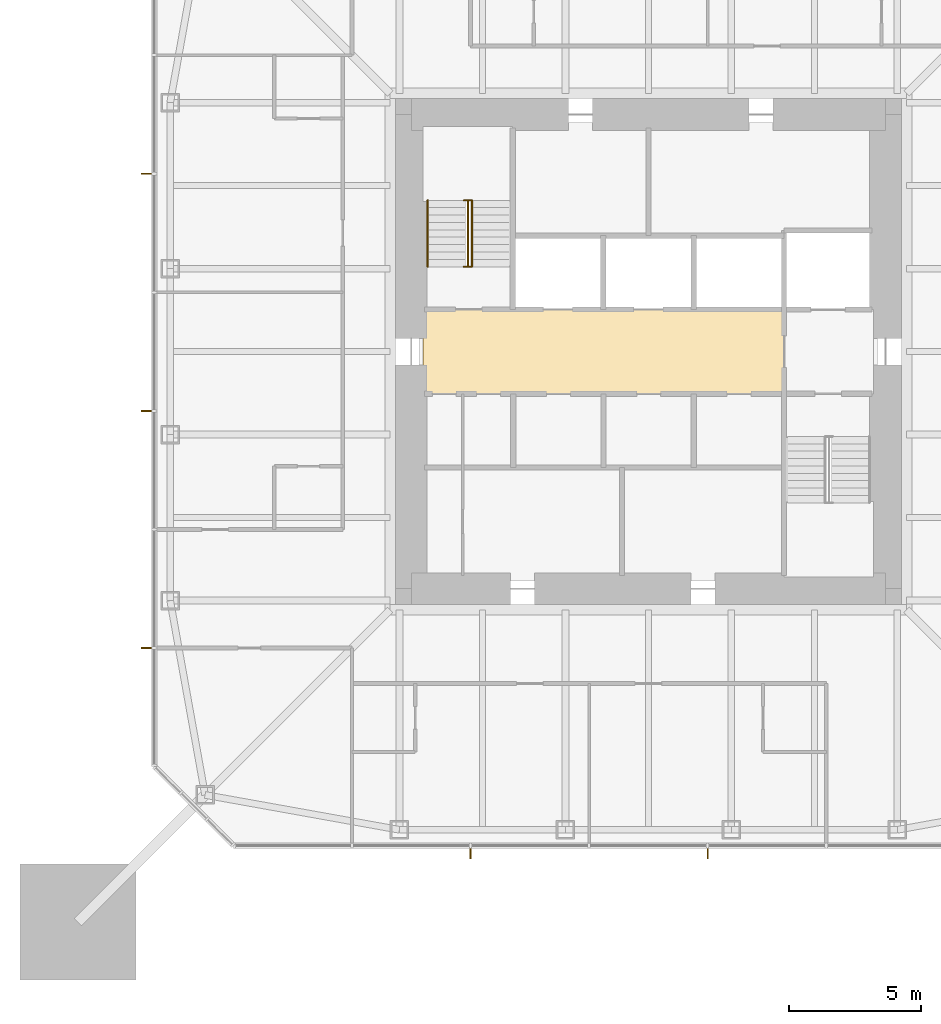
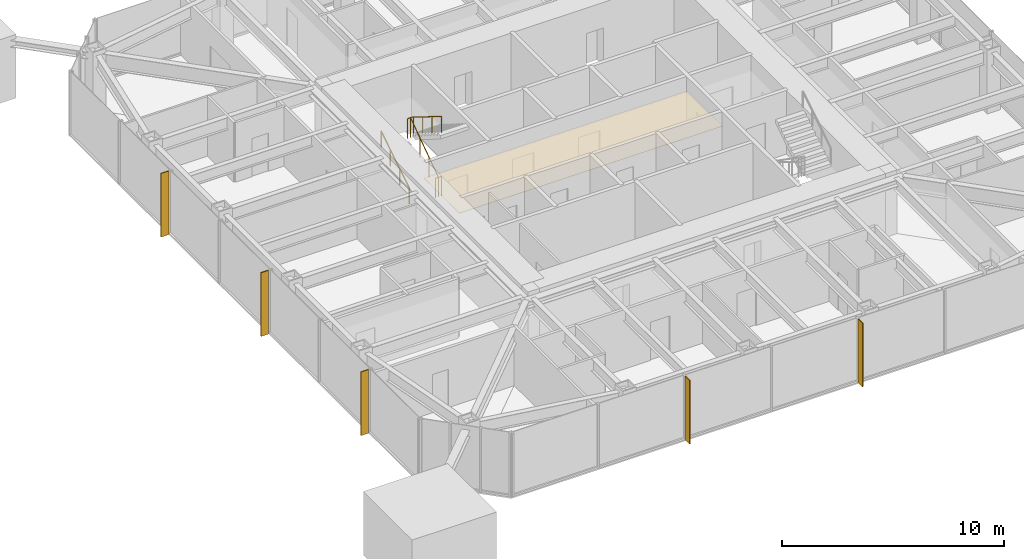
# One storey, part 9 of 11: 5 shading devices, 3 railings, 1 covering.
"""IFC4 building model written with IfcOpenShell, lengths in metres."""

import ifcopenshell
import ifcopenshell.guid

model = None  # the IFC model being written
_history = None  # IfcOwnerHistory: only IFC2X3 demands one
_inside = {}  # id of a spatial element -> (the spatial element, [elements in it])
_under = {}  # id of a project, library or spatial element -> (it, [spatial elements below it])
_declared = {}  # id of a project -> (the project, [libraries it declares])
_typed = {}  # id of a type object -> (the type object, [elements of that type])
_made_of = {}  # id of a material, layer set ... -> (it, [elements and type objects made of it])


def new_model(schema):
    """Start an empty IFC model of exactly this schema.

    Asked for "IFC4X3", IfcOpenShell would pick the latest addendum, in which some entities
    have other attributes; the version numbers below select the first issue.
    IFC2X3 requires an IfcOwnerHistory on every rooted entity: one is made here for all.
    """
    global model, _history
    if schema == "IFC4X3":
        model = ifcopenshell.file(schema_version=(4, 3, 0, 0))
    else:
        model = ifcopenshell.file(schema=schema)
    _inside.clear()
    _under.clear()
    _declared.clear()
    _typed.clear()
    _made_of.clear()
    _history = None
    if model.schema == "IFC2X3":
        org = make("IfcOrganization", Name="unknown")
        user = make(
            "IfcPersonAndOrganization",
            ThePerson=make("IfcPerson", FamilyName="unknown"),
            TheOrganization=org,
        )
        app = make(
            "IfcApplication",
            ApplicationDeveloper=org,
            Version="unknown",
            ApplicationFullName="unknown",
            ApplicationIdentifier="unknown",
        )
        _history = make(
            "IfcOwnerHistory",
            OwningUser=user,
            OwningApplication=app,
            ChangeAction="ADDED",
            CreationDate=0,
        )
    return model


def make(cls, **values):
    """One entity of the class cls with the attributes given. An attribute that is None is left unset."""
    return model.create_entity(
        cls, **{name: value for name, value in values.items() if value is not None}
    )


def rooted(cls, **values):
    """An entity with a GlobalId (a new one), such as an element, a storey or a relation."""
    return make(cls, GlobalId=ifcopenshell.guid.new(), OwnerHistory=_history, **values)


def si_unit(unit_type, name, prefix=None):
    """IfcSIUnit, for example si_unit("LENGTHUNIT", "METRE", prefix="MILLI")."""
    return make("IfcSIUnit", UnitType=unit_type, Prefix=prefix, Name=name)


def assignment(units):
    """IfcUnitAssignment: the units of a project."""
    return None if units is None else make("IfcUnitAssignment", Units=units)


def point(xyz):
    """IfcCartesianPoint."""
    return None if xyz is None else make("IfcCartesianPoint", Coordinates=xyz)


def direction(xyz):
    """IfcDirection."""
    return None if xyz is None else make("IfcDirection", DirectionRatios=xyz)


def frame(location, z_axis=None, x_axis=None):
    """IfcAxis2Placement3D, a coordinate frame: its origin and axes. An axis left out is left unset."""
    return make(
        "IfcAxis2Placement3D",
        Location=point(location),
        Axis=direction(z_axis),
        RefDirection=direction(x_axis),
    )


def frame_2d(location, x_axis=None):
    """IfcAxis2Placement2D, a coordinate frame in the plane: its origin and x axis."""
    return make(
        "IfcAxis2Placement2D", Location=point(location), RefDirection=direction(x_axis)
    )


def origin():
    """The frame at (0, 0, 0) with its axes left unset."""
    return frame((0.0, 0.0, 0.0))


def origin_2d():
    """The frame at (0, 0) in the plane with its x axis left unset."""
    return frame_2d((0.0, 0.0))


def place(relative_to, where):
    """IfcLocalPlacement: puts the frame where relative to a parent placement (None: the world)."""
    return make(
        "IfcLocalPlacement", PlacementRelTo=relative_to, RelativePlacement=where
    )


def context(
    kind, dimensions, precision=None, world=None, true_north=None, identifier=None
):
    """IfcGeometricRepresentationContext, for example the 3D "Model" context."""
    return make(
        "IfcGeometricRepresentationContext",
        ContextIdentifier=identifier,
        ContextType=kind,
        CoordinateSpaceDimension=dimensions,
        Precision=precision,
        WorldCoordinateSystem=world,
        TrueNorth=true_north,
    )


def subcontext(parent, identifier, kind, view, scale=None):
    """IfcGeometricRepresentationSubContext, for example "Body" below "Model"."""
    return make(
        "IfcGeometricRepresentationSubContext",
        ContextIdentifier=identifier,
        ContextType=kind,
        ParentContext=parent,
        TargetScale=scale,
        TargetView=view,
    )


def project(units=None, contexts=None):
    """IfcProject with its units and contexts."""
    return rooted(
        "IfcProject",
        Name="project",
        RepresentationContexts=contexts,
        UnitsInContext=assignment(units),
    )


def spatial(cls, under=None, at=None, **own):
    """A site, building, storey or space (cls), placed at a placement, below another one or the project."""
    s = rooted(cls, ObjectPlacement=at, **own)
    if under is not None:
        _under.setdefault(under.id(), (under, []))[1].append(s)
    return s


def polyline(points):
    """IfcPolyline through the points."""
    return make("IfcPolyline", Points=[point(p) for p in points])


def profile(cls, at=None, kind="AREA", **sizes):
    """A parametric profile (cls). Its sizes go by their IFC names, for example OverallWidth=200.0."""
    return make(cls, ProfileType=kind, Position=at, **sizes)


def rectangle(**sizes):
    """IfcRectangleProfileDef."""
    return profile("IfcRectangleProfileDef", **sizes)


def circle(**sizes):
    """IfcCircleProfileDef."""
    return profile("IfcCircleProfileDef", **sizes)


def outline(outer, holes=None, kind="AREA"):
    """IfcArbitraryClosedProfileDef: a profile drawn as a closed curve; with holes, ...WithVoids."""
    if holes is None:
        return make("IfcArbitraryClosedProfileDef", ProfileType=kind, OuterCurve=outer)
    return make(
        "IfcArbitraryProfileDefWithVoids",
        ProfileType=kind,
        OuterCurve=outer,
        InnerCurves=holes,
    )


def extrude(swept, where, along, depth):
    """IfcExtrudedAreaSolid: the profile swept, set in the frame where, extruded along a direction by depth."""
    return make(
        "IfcExtrudedAreaSolid",
        SweptArea=swept,
        Position=where,
        ExtrudedDirection=direction(along),
        Depth=depth,
    )


def shape(context_of_items, identifier, shape_type, items):
    """IfcShapeRepresentation: the items that make up one representation, for example the "Body"."""
    return make(
        "IfcShapeRepresentation",
        ContextOfItems=context_of_items,
        RepresentationIdentifier=identifier,
        RepresentationType=shape_type,
        Items=items,
    )


def material(Name=None, Category=None):
    """IfcMaterial."""
    return make("IfcMaterial", Name=Name, Category=Category)


def layer(
    of_material, thickness, ventilated=None, Name=None, Category=None, Priority=None
):
    """IfcMaterialLayer: one layer of a wall or slab, of a material (None: an air gap)."""
    return make(
        "IfcMaterialLayer",
        Material=of_material,
        LayerThickness=thickness,
        IsVentilated=ventilated,
        Name=Name,
        Category=Category,
        Priority=Priority,
    )


def layer_set(layers, Name=None):
    """IfcMaterialLayerSet."""
    return make("IfcMaterialLayerSet", MaterialLayers=layers, LayerSetName=Name)


def constituent(of_material, Name=None, Category=None, fraction=None):
    """IfcMaterialConstituent: one of the materials an element consists of."""
    return make(
        "IfcMaterialConstituent",
        Name=Name,
        Material=of_material,
        Fraction=fraction,
        Category=Category,
    )


def constituent_set(constituents=None, Name=None):
    """IfcMaterialConstituentSet."""
    return make(
        "IfcMaterialConstituentSet", Name=Name, MaterialConstituents=constituents
    )


def made_of(thing, what):
    """Note that an element or type object is made of a material, layer set ...; save() writes the relation."""
    if what is not None:
        _made_of.setdefault(what.id(), (what, []))[1].append(thing)
    return thing


def type_object(cls, material=None, **own):
    """A type object (cls), such as IfcWallType, which elements share."""
    return made_of(rooted(cls, **own), material)


def element(
    cls,
    number,
    at=None,
    inside=None,
    cuts=None,
    type_object=None,
    material=None,
    context=None,
    identifier="Body",
    shape_type=None,
    held_by="IfcProductDefinitionShape",
    body=None,
    shapes=None,
    **own,
):
    """One element of the class cls, such as IfcWall. Its Tag is "e" and its number.

    at: its placement. inside: the storey or other place that contains it. cuts: it is an
    opening in that element (IfcRelVoidsElement). A single representation is given by context,
    identifier, shape_type and body (its items); several are given by shapes. held_by: the class
    of the entity that holds the representations. save() writes the other relations.
    """
    e = rooted(cls, Tag="e%d" % number, ObjectPlacement=at, **own)
    if body is not None:
        shapes = [shape(context, identifier, shape_type, body)]
    if shapes is not None:
        e.Representation = make(held_by, Representations=shapes)
    if inside is not None:
        _inside.setdefault(inside.id(), (inside, []))[1].append(e)
    if cuts is not None:
        rooted(
            "IfcRelVoidsElement", RelatingBuildingElement=cuts, RelatedOpeningElement=e
        )
    if type_object is not None:
        _typed.setdefault(type_object.id(), (type_object, []))[1].append(e)
    return made_of(e, material)


def aggregate(whole, parts):
    """IfcRelAggregates: a whole, such as a stair, and the parts it consists of."""
    return rooted("IfcRelAggregates", RelatingObject=whole, RelatedObjects=parts)


def save(model, path):
    """Write the relations noted so far, then the file.

    IfcRelAggregates (storeys below a building ...), IfcRelContainedInSpatialStructure (elements
    in a storey), IfcRelDefinesByType, IfcRelAssociatesMaterial and IfcRelDeclares: one each for
    every whole, place, type object, material and project.
    """
    for whole, parts in _under.values():
        aggregate(whole, parts)
    for where, things in _inside.values():
        rooted(
            "IfcRelContainedInSpatialStructure",
            RelatedElements=things,
            RelatingStructure=where,
        )
    for kind, things in _typed.values():
        rooted("IfcRelDefinesByType", RelatedObjects=things, RelatingType=kind)
    for what, things in _made_of.values():
        rooted("IfcRelAssociatesMaterial", RelatedObjects=things, RelatingMaterial=what)
    for by, libraries in _declared.values():
        rooted("IfcRelDeclares", RelatingContext=by, RelatedDefinitions=libraries)
    model.write(path)


model = new_model("IFC4")

# Units and contexts
model_context = context("Model", 3, precision=1e-05, world=origin(), true_north=direction((0.0, 1.0)))
body_context = subcontext(model_context, "Body", "Model", "MODEL_VIEW")
ifc_project = project(units=[si_unit("LENGTHUNIT", "METRE"), si_unit("AREAUNIT", "SQUARE_METRE"), si_unit("VOLUMEUNIT", "CUBIC_METRE"), si_unit("PLANEANGLEUNIT", "RADIAN"), si_unit("MASSUNIT", "GRAM", prefix="KILO")], contexts=[model_context])

# Site, building, storey
site_placement = place(None, origin())
site = spatial("IfcSite", under=ifc_project, at=site_placement, CompositionType="ELEMENT")
building_placement = place(site_placement, origin())
building = spatial("IfcBuilding", under=site, at=building_placement, Name="Iwan Alto Co-Living Towers", CompositionType="ELEMENT")
storey_placement = place(building_placement, frame((0.0, 0.0, 195.0)))
storey = spatial("IfcBuildingStorey", under=building, at=storey_placement, Name="L53", CompositionType="ELEMENT", Elevation=195.0)

# Covering
ifc_material_1 = material(Name="Mineral fibre acoustic tiles on steel grid", Category="steel")
ifc_layer_1 = layer(ifc_material_1, 0.02001953125)
ifc_layer_set_1 = layer_set([ifc_layer_1], Name="ACOUSTIC TILE CEILING 20")
covering_type = type_object("IfcCoveringType", Name="ACOUSTIC TILE CEILING 20", PredefinedType="CEILING", material=ifc_layer_set_1)
covering_placement = place(storey_placement, frame((0.0, 0.0, 2.60009765625)))
element("IfcCovering", 1, at=covering_placement, inside=storey, type_object=covering_type, Name="Ceiling Lift lobby L53", PredefinedType="CEILING", context=body_context, shape_type="SweptSolid", body=[
    extrude(outline(polyline([(-8.550048828125, -1.60009765625), (-8.550048828125, 1.60009765625), (5.14990234375, 1.60009765625), (5.14990234375, -1.60009765625), (-8.550048828125, -1.60009765625)])), origin(), (0.0, 0.0, 1.0), 0.02001953125),
])

# Shading devices
ifc_material_2 = material(Name="Aluminium 6063-T6 bronze anodised", Category="aluminium")
ifc_layer_2 = layer(ifc_material_2, 0.050048828125)
ifc_layer_set_2 = layer_set([ifc_layer_2], Name="BRONZE FIN 50X400")
shading_device_type = type_object("IfcShadingDeviceType", Name="BRONZE FIN 50X400", PredefinedType="USERDEFINED", material=ifc_layer_set_2)
for number, where, z_axis, x_axis, name in (
    (2, (-6.75, -19.050048828125, 0.0), (0.0, 0.0, 1.0), (1.0, 0.0, 0.0), "Bronze fin L53"),
    (3, (2.25, -19.050048828125, 0.0), (0.0, 0.0, 1.0), (1.0, 0.0, 0.0), "Bronze fin L53"),
    (4, (-19.050048828125, 6.75, 0.0), (0.0, 0.0, 1.0), (0.0, -1.0, 0.0), "Bronze fin L53"),
    (5, (-19.050048828125, -2.25, 0.0), (0.0, 0.0, 1.0), (0.0, -1.0, 0.0), "Bronze fin L53"),
    (6, (-19.050048828125, -11.25, 0.0), (0.0, 0.0, 1.0), (0.0, -1.0, 0.0), "Bronze fin L53"),
):
    element("IfcShadingDevice", number, at=place(storey_placement, frame(where, z_axis=z_axis, x_axis=x_axis)), inside=storey, type_object=shading_device_type, Name=name, ObjectType="LOUVER", PredefinedType="USERDEFINED", context=body_context, shape_type="SweptSolid", body=[
        extrude(rectangle(XDim=0.050048828125, YDim=0.39990234375, at=origin_2d()), origin(), (0.0, 0.0, 1.0), 3.5),
    ])

# Railings
ifc_material_3 = material(Name="Steel ASTM A500 Gr C", Category="steel")
ifc_constituent_1 = constituent(ifc_material_3, Name="Rails and posts", Category="Framing")
ifc_material_4 = material(Name="Steel ASTM A36", Category="steel")
ifc_constituent_2 = constituent(ifc_material_4, Name="Bar infill", Category="Infill")
ifc_constituent_set = constituent_set(constituents=[ifc_constituent_1, ifc_constituent_2], Name="STAIR GUARD 1100")
railing_type_1 = type_object("IfcRailingType", Name="STAIR GUARD 1100", PredefinedType="GUARDRAIL", material=ifc_constituent_set)
railing_1_placement = place(storey_placement, frame((-6.85009765625, 3.219970703125, 0.0)))
element("IfcRailing", 7, at=railing_1_placement, inside=storey, type_object=railing_type_1, Name="Stair T1-S1 well guard L53", PredefinedType="GUARDRAIL", context=body_context, shape_type="SweptSolid", body=[
    extrude(circle(Radius=0.02392578125, at=origin_2d()), frame((0.0, 0.0, 1.076171875), z_axis=(0.0, 0.821372036852, 0.570392826987), x_axis=(-1.0, 0.0, 0.0)), (0.0, 0.0, 1.0), 3.068115234375),
    extrude(circle(Radius=0.02392578125, at=origin_2d()), frame((-0.14990234375, 0.0, 1.076171875), z_axis=(1.0, 0.0, 0.0), x_axis=(0.0, 1.0, 0.0)), (0.0, 0.0, 1.0), 0.300048828125),
    extrude(circle(Radius=0.02392578125, at=origin_2d()), frame((-0.14990234375, 2.52001953125, 2.826171875), z_axis=(1.0, 0.0, 0.0), x_axis=(0.0, 1.0, 0.0)), (0.0, 0.0, 1.0), 0.300048828125),
    extrude(circle(Radius=0.02099609375, at=origin_2d()), origin(), (0.0, 0.0, 1.0), 1.052001953125),
    extrude(circle(Radius=0.02099609375, at=origin_2d()), frame((0.0, 0.840087890625, 0.583251953125)), (0.0, 0.0, 1.0), 1.052001953125),
    extrude(circle(Radius=0.02099609375, at=origin_2d()), frame((0.0, 1.679931640625, 1.166748046875)), (0.0, 0.0, 1.0), 1.052001953125),
    extrude(circle(Radius=0.02099609375, at=origin_2d()), frame((0.0, 2.52001953125, 1.75)), (0.0, 0.0, 1.0), 1.052001953125),
    extrude(circle(Radius=0.02099609375, at=origin_2d()), frame((-0.14990234375, 0.0, 0.0)), (0.0, 0.0, 1.0), 1.052001953125),
    extrude(circle(Radius=0.02099609375, at=origin_2d()), frame((0.150146484375, 0.0, 0.0)), (0.0, 0.0, 1.0), 1.052001953125),
    extrude(circle(Radius=0.02099609375, at=origin_2d()), frame((-0.14990234375, 2.52001953125, 1.75)), (0.0, 0.0, 1.0), 1.052001953125),
    extrude(circle(Radius=0.02099609375, at=origin_2d()), frame((0.150146484375, 2.52001953125, 1.75)), (0.0, 0.0, 1.0), 1.052001953125),
])
ifc_material_5 = material(Name="Steel ASTM A500 Gr C", Category="steel")
railing_type_2 = type_object("IfcRailingType", Name="STAIR HANDRAIL 900", PredefinedType="HANDRAIL", material=ifc_material_5)
railing_2_placement = place(storey_placement, frame((-8.3798828125, 3.219970703125, 0.175048828125)))
element("IfcRailing", 8, at=railing_2_placement, inside=storey, type_object=railing_type_2, Name="Stair T1-S1 handrail 1 L53", PredefinedType="HANDRAIL", context=body_context, shape_type="SweptSolid", body=[
    extrude(circle(Radius=0.02392578125, at=origin_2d()), frame((0.0, 0.0, 0.8759765625), z_axis=(0.0, 0.848007534815, 0.529984170421), x_axis=(-1.0, 0.0, 0.0)), (0.0, 0.0, 1.0), 2.9716796875),
    extrude(circle(Radius=0.02099609375, at=origin_2d()), origin(), (0.0, 0.0, 1.0), 0.851806640625),
    extrude(circle(Radius=0.02099609375, at=origin_2d()), frame((0.0, 0.840087890625, 0.52490234375)), (0.0, 0.0, 1.0), 0.851806640625),
    extrude(circle(Radius=0.02099609375, at=origin_2d()), frame((0.0, 1.679931640625, 1.050048828125)), (0.0, 0.0, 1.0), 0.851806640625),
    extrude(circle(Radius=0.02099609375, at=origin_2d()), frame((0.0, 2.52001953125, 1.574951171875)), (0.0, 0.0, 1.0), 0.851806640625),
])
railing_3_placement = place(storey_placement, frame((-6.699951171875, 5.739990234375, 1.925048828125)))
element("IfcRailing", 9, at=railing_3_placement, inside=storey, type_object=railing_type_2, Name="Stair T1-S1 handrail 2 L53", PredefinedType="HANDRAIL", context=body_context, shape_type="SweptSolid", body=[
    extrude(circle(Radius=0.02392578125, at=origin_2d()), frame((0.0, 0.0, 0.8759765625), z_axis=(0.0, -0.848007534815, 0.529984170421), x_axis=(1.0, 0.0, 0.0)), (0.0, 0.0, 1.0), 2.9716796875),
    extrude(circle(Radius=0.02099609375, at=origin_2d()), origin(), (0.0, 0.0, 1.0), 0.851806640625),
    extrude(circle(Radius=0.02099609375, at=origin_2d()), frame((0.0, -0.840087890625, 0.52490234375)), (0.0, 0.0, 1.0), 0.851806640625),
    extrude(circle(Radius=0.02099609375, at=origin_2d()), frame((0.0, -1.679931640625, 1.050048828125)), (0.0, 0.0, 1.0), 0.851806640625),
    extrude(circle(Radius=0.02099609375, at=origin_2d()), frame((0.0, -2.52001953125, 1.574951171875)), (0.0, 0.0, 1.0), 0.851806640625),
])

save(model, "model.ifc")
